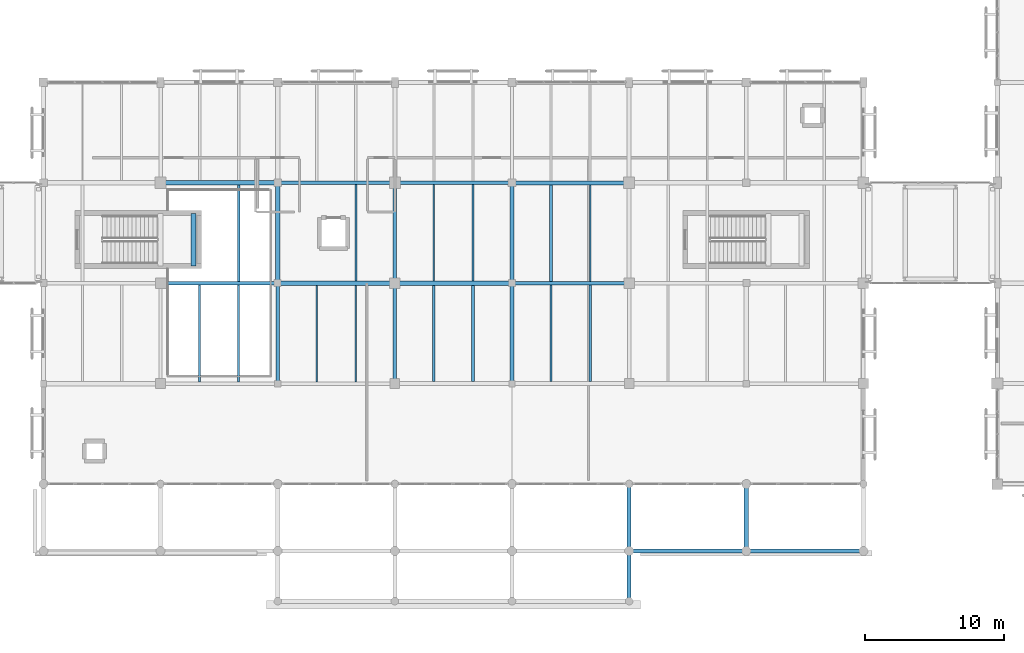
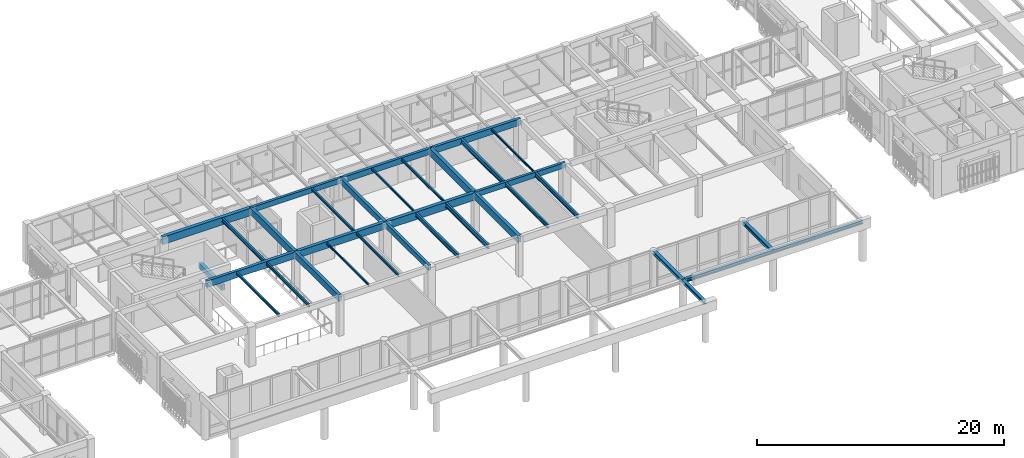
# One storey, part 45 of 170: 34 beams.
"""IFC4 building model written with IfcOpenShell, lengths in metres."""

from ifc_helpers import new_model, si_unit, direction, frame, origin, origin_2d, place, context, subcontext, project, spatial, rectangle, i_section, extrude, material, material_profile, profile_set, type_object, element, save


model = new_model("IFC4")

# Units and contexts
model_context = context("Model", 3, precision=1e-05, world=origin(), true_north=direction((0.0, 1.0)))
body_context = subcontext(model_context, "Body", "Model", "MODEL_VIEW")
ifc_project = project(units=[si_unit("LENGTHUNIT", "METRE"), si_unit("AREAUNIT", "SQUARE_METRE"), si_unit("VOLUMEUNIT", "CUBIC_METRE"), si_unit("PLANEANGLEUNIT", "RADIAN"), si_unit("MASSUNIT", "GRAM", prefix="KILO")], contexts=[model_context])

# Site, building, storey
site_placement = place(None, origin())
site = spatial("IfcSite", under=ifc_project, at=site_placement, CompositionType="ELEMENT")
building_placement = place(site_placement, origin())
building = spatial("IfcBuilding", under=site, at=building_placement, Name="Mazaris Harbour Polytechnic", CompositionType="ELEMENT")
storey_placement = place(building_placement, frame((0.0, 0.0, 5.39990234375)))
storey = spatial("IfcBuildingStorey", under=building, at=storey_placement, Name="L01", CompositionType="ELEMENT", Elevation=5.39990234375)

# Beams
ifc_material_1 = material(Name="Glulam GL32h", Category="wood")
ifc_material_profile_1 = material_profile(ifc_material_1, rectangle(XDim=0.239990234375, YDim=0.52001953125, at=origin_2d()), Name="RECT240x520")
ifc_profile_set_1 = profile_set([ifc_material_profile_1], Name="Glulam GL32h")
beam_type_1 = type_object("IfcBeamType", Name="Glulam Girder 240x520", PredefinedType="BEAM", material=ifc_profile_set_1)
for number, where, z_axis, x_axis, name in (
    (1, (87.60009765625, 21.60009765625, 3.66015625), (1.0, 0.0, 0.0), (0.0, 1.0, 0.0), "V3 L01 Girder 980"),
    (2, (70.800048828125, 28.800048828125, 3.66015625), (1.0, 0.0, 0.0), (0.0, 1.0, 0.0), "V3 L01 Girder 985"),
):
    element("IfcBeam", number, at=place(storey_placement, frame(where, z_axis=z_axis, x_axis=x_axis)), inside=storey, type_object=beam_type_1, Name=name, PredefinedType="BEAM", context=body_context, shape_type="SweptSolid", body=[
        extrude(rectangle(XDim=0.239990234375, YDim=0.52001953125, at=origin_2d()), origin(), (0.0, 0.0, 1.0), 8.39990234375),
    ])
beam_1_placement = place(storey_placement, frame((79.199951171875, 14.39990234375, 3.66015625), z_axis=(0.0, 1.0, 0.0), x_axis=(-1.0, 0.0, 0.0)))
element("IfcBeam", 3, at=beam_1_placement, inside=storey, type_object=beam_type_1, Name="V3 L01 Tie Girder 1005", PredefinedType="BEAM", context=body_context, shape_type="SweptSolid", body=[
    extrude(rectangle(XDim=0.239990234375, YDim=0.52001953125, at=origin_2d()), origin(), (0.0, 0.0, 1.0), 7.2001953125),
])
ifc_material_2 = material(Name="Glulam GL32h", Category="wood")
ifc_material_profile_2 = material_profile(ifc_material_2, rectangle(XDim=0.260009765625, YDim=0.580078125, at=origin_2d()), Name="RECT260x580")
ifc_profile_set_2 = profile_set([ifc_material_profile_2], Name="Glulam GL32h")
beam_type_2 = type_object("IfcBeamType", Name="Glulam Girder 260x580", PredefinedType="BEAM", material=ifc_profile_set_2)
beam_2_placement = place(storey_placement, frame((79.199951171875, 28.800048828125, 3.630126953125), z_axis=(1.0, 0.0, 0.0), x_axis=(0.0, 1.0, 0.0)))
element("IfcBeam", 4, at=beam_2_placement, inside=storey, type_object=beam_type_2, Name="V3 L01 Girder 986", PredefinedType="BEAM", context=body_context, shape_type="SweptSolid", body=[
    extrude(rectangle(XDim=0.260009765625, YDim=0.580078125, at=origin_2d()), origin(), (0.0, 0.0, 1.0), 8.400146484375),
])
beam_3_placement = place(storey_placement, frame((79.199951171875, 21.60009765625, 3.630126953125), z_axis=(0.0, 1.0, 0.0), x_axis=(-1.0, 0.0, 0.0)))
element("IfcBeam", 5, at=beam_3_placement, inside=storey, type_object=beam_type_2, Name="V3 L01 Tie Girder 1006", PredefinedType="BEAM", context=body_context, shape_type="SweptSolid", body=[
    extrude(rectangle(XDim=0.260009765625, YDim=0.580078125, at=origin_2d()), origin(), (0.0, 0.0, 1.0), 7.199951171875),
])
ifc_material_3 = material(Name="Glulam GL32h", Category="wood")
ifc_material_profile_3 = material_profile(ifc_material_3, rectangle(XDim=0.280029296875, YDim=0.639892578125, at=origin_2d()), Name="RECT280x640")
ifc_profile_set_3 = profile_set([ifc_material_profile_3], Name="Glulam GL32h")
beam_type_3 = type_object("IfcBeamType", Name="Glulam Girder 280x640", PredefinedType="BEAM", material=ifc_profile_set_3)
beam_4_placement = place(storey_placement, frame((62.39990234375, 21.60009765625, 3.60009765625), z_axis=(1.0, 0.0, 0.0), x_axis=(0.0, 1.0, 0.0)))
element("IfcBeam", 6, at=beam_4_placement, inside=storey, type_object=beam_type_3, Name="V3 L01 Girder 977", PredefinedType="BEAM", context=body_context, shape_type="SweptSolid", body=[
    extrude(rectangle(XDim=0.280029296875, YDim=0.639892578125, at=origin_2d()), origin(), (0.0, 0.0, 1.0), 8.400146484375),
])
beam_5_placement = place(storey_placement, frame((87.60009765625, 28.800048828125, 3.60009765625), z_axis=(1.0, 0.0, 0.0), x_axis=(0.0, 1.0, 0.0)))
element("IfcBeam", 7, at=beam_5_placement, inside=storey, type_object=beam_type_3, Name="V3 L01 Girder 987", PredefinedType="BEAM", context=body_context, shape_type="SweptSolid", body=[
    extrude(rectangle(XDim=0.280029296875, YDim=0.639892578125, at=origin_2d()), origin(), (0.0, 0.0, 1.0), 8.39990234375),
])
beam_6_placement = place(storey_placement, frame((70.800048828125, 14.39990234375, 3.60009765625), z_axis=(0.0, 1.0, 0.0), x_axis=(-1.0, 0.0, 0.0)))
element("IfcBeam", 8, at=beam_6_placement, inside=storey, type_object=beam_type_3, Name="V3 L01 Tie Girder 1002", PredefinedType="BEAM", context=body_context, shape_type="SweptSolid", body=[
    extrude(rectangle(XDim=0.280029296875, YDim=0.639892578125, at=origin_2d()), origin(), (0.0, 0.0, 1.0), 7.2001953125),
])
ifc_material_4 = material(Name="Glulam GL32h", Category="wood")
ifc_material_profile_4 = material_profile(ifc_material_4, rectangle(XDim=0.300048828125, YDim=0.679931640625, at=origin_2d()), Name="RECT300x680")
ifc_profile_set_4 = profile_set([ifc_material_profile_4], Name="Glulam GL32h")
beam_type_4 = type_object("IfcBeamType", Name="Glulam Girder 300x680", PredefinedType="BEAM", material=ifc_profile_set_4)
beam_7_placement = place(storey_placement, frame((70.800048828125, 21.60009765625, 3.580078125), z_axis=(1.0, 0.0, 0.0), x_axis=(0.0, 1.0, 0.0)))
element("IfcBeam", 9, at=beam_7_placement, inside=storey, type_object=beam_type_4, Name="V3 L01 Girder 978", PredefinedType="BEAM", context=body_context, shape_type="SweptSolid", body=[
    extrude(rectangle(XDim=0.300048828125, YDim=0.679931640625, at=origin_2d()), origin(), (0.0, 0.0, 1.0), 8.39990234375),
])
beam_8_placement = place(storey_placement, frame((70.800048828125, 21.60009765625, 3.580078125), z_axis=(0.0, 1.0, 0.0), x_axis=(-1.0, 0.0, 0.0)))
element("IfcBeam", 10, at=beam_8_placement, inside=storey, type_object=beam_type_4, Name="V3 L01 Tie Girder 1003", PredefinedType="BEAM", context=body_context, shape_type="SweptSolid", body=[
    extrude(rectangle(XDim=0.300048828125, YDim=0.679931640625, at=origin_2d()), origin(), (0.0, 0.0, 1.0), 7.199951171875),
])
beam_9_placement = place(storey_placement, frame((87.60009765625, 14.39990234375, 3.580078125), z_axis=(0.0, 1.0, 0.0), x_axis=(-1.0, 0.0, 0.0)))
element("IfcBeam", 11, at=beam_9_placement, inside=storey, type_object=beam_type_4, Name="V3 L01 Tie Girder 1008", PredefinedType="BEAM", context=body_context, shape_type="SweptSolid", body=[
    extrude(rectangle(XDim=0.300048828125, YDim=0.679931640625, at=origin_2d()), origin(), (0.0, 0.0, 1.0), 7.2001953125),
])
ifc_material_5 = material(Name="Glulam GL32h", Category="wood")
ifc_material_profile_5 = material_profile(ifc_material_5, rectangle(XDim=0.320068359375, YDim=0.739990234375, at=origin_2d()), Name="RECT320x740")
ifc_profile_set_5 = profile_set([ifc_material_profile_5], Name="Glulam GL32h")
beam_type_5 = type_object("IfcBeamType", Name="Glulam Girder 320x740", PredefinedType="BEAM", material=ifc_profile_set_5)
for number, where, z_axis, x_axis, name in (
    (12, (79.199951171875, 21.60009765625, 3.550048828125), (1.0, 0.0, 0.0), (0.0, 1.0, 0.0), "V3 L01 Girder 979"),
    (13, (62.39990234375, 28.800048828125, 3.550048828125), (1.0, 0.0, 0.0), (0.0, 1.0, 0.0), "V3 L01 Girder 984"),
):
    element("IfcBeam", number, at=place(storey_placement, frame(where, z_axis=z_axis, x_axis=x_axis)), inside=storey, type_object=beam_type_5, Name=name, PredefinedType="BEAM", context=body_context, shape_type="SweptSolid", body=[
        extrude(rectangle(XDim=0.320068359375, YDim=0.739990234375, at=origin_2d()), origin(), (0.0, 0.0, 1.0), 8.400146484375),
    ])
beam_10_placement = place(storey_placement, frame((87.60009765625, 21.60009765625, 3.550048828125), z_axis=(0.0, 1.0, 0.0), x_axis=(-1.0, 0.0, 0.0)))
element("IfcBeam", 14, at=beam_10_placement, inside=storey, type_object=beam_type_5, Name="V3 L01 Tie Girder 1009", PredefinedType="BEAM", context=body_context, shape_type="SweptSolid", body=[
    extrude(rectangle(XDim=0.320068359375, YDim=0.739990234375, at=origin_2d()), origin(), (0.0, 0.0, 1.0), 7.199951171875),
])
ifc_material_6 = material(Name="Concrete C40/50", Category="concrete")
ifc_material_profile_6 = material_profile(ifc_material_6, rectangle(XDim=0.35009765625, YDim=0.52001953125, at=origin_2d()), Name="RECT350x520")
ifc_profile_set_6 = profile_set([ifc_material_profile_6], Name="Concrete C40/50")
beam_type_6 = type_object("IfcBeamType", Name="RC Landing Bearer 350x520", PredefinedType="BEAM", material=ifc_profile_set_6)
beam_11_placement = place(storey_placement, frame((64.75, 22.85009765625, 1.64013671875), z_axis=(0.0, 1.0, 0.0), x_axis=(-1.0, 0.0, 0.0)))
element("IfcBeam", 15, at=beam_11_placement, inside=storey, type_object=beam_type_6, Name="Core ST05 L01 Landing Bearer", PredefinedType="BEAM", context=body_context, shape_type="SweptSolid", body=[
    extrude(rectangle(XDim=0.35009765625, YDim=0.52001953125, at=origin_2d()), origin(), (0.0, 0.0, 1.0), 3.75),
])
ifc_material_7 = material(Name="Steel S355", Category="steel")
ifc_material_profile_7 = material_profile(ifc_material_7, i_section(OverallWidth=0.300048828125, OverallDepth=0.330078125, WebThickness=0.009521484375, FlangeThickness=0.0166015625, FilletRadius=0.027099609375, at=origin_2d()), Name="HEA 340")
ifc_profile_set_7 = profile_set([ifc_material_profile_7], Name="Steel S355")
beam_type_7 = type_object("IfcBeamType", Name="Steel Beam HEA340 Exterior", PredefinedType="BEAM", material=ifc_profile_set_7)
for number, where, z_axis, x_axis, name in (
    (16, (96.0, 2.39990234375, 3.780029296875), (0.0, 1.0, 0.0), (-1.0, 0.0, 0.0), "Colonnade Cross Beam 3486"),
    (17, (104.39990234375, 2.39990234375, 3.780029296875), (0.0, 1.0, 0.0), (-1.0, 0.0, 0.0), "Colonnade Cross Beam 3487"),
):
    element("IfcBeam", number, at=place(storey_placement, frame(where, z_axis=z_axis, x_axis=x_axis)), inside=storey, type_object=beam_type_7, Name=name, PredefinedType="BEAM", context=body_context, shape_type="SweptSolid", body=[
        extrude(i_section(OverallWidth=0.300048828125, OverallDepth=0.330078125, WebThickness=0.009521484375, FlangeThickness=0.0166015625, FilletRadius=0.027099609375, at=origin_2d()), origin(), (0.0, 0.0, 1.0), 4.800048828125),
    ])
beam_12_placement = place(storey_placement, frame((96.0, 2.39990234375, 3.780029296875), z_axis=(1.0, 0.0, 0.0), x_axis=(0.0, 1.0, 0.0)))
element("IfcBeam", 18, at=beam_12_placement, inside=storey, type_object=beam_type_7, Name="Colonnade Entablature Architrave 3494", PredefinedType="BEAM", context=body_context, shape_type="SweptSolid", body=[
    extrude(i_section(OverallWidth=0.300048828125, OverallDepth=0.330078125, WebThickness=0.009521484375, FlangeThickness=0.0166015625, FilletRadius=0.027099609375, at=origin_2d()), origin(), (0.0, 0.0, 1.0), 8.39990234375),
])
beam_13_placement = place(storey_placement, frame((104.39990234375, 2.39990234375, 3.780029296875), z_axis=(1.0, 0.0, 0.0), x_axis=(0.0, 1.0, 0.0)))
element("IfcBeam", 19, at=beam_13_placement, inside=storey, type_object=beam_type_7, Name="Colonnade Entablature Architrave 3495", PredefinedType="BEAM", context=body_context, shape_type="SweptSolid", body=[
    extrude(i_section(OverallWidth=0.300048828125, OverallDepth=0.330078125, WebThickness=0.009521484375, FlangeThickness=0.0166015625, FilletRadius=0.027099609375, at=origin_2d()), origin(), (0.0, 0.0, 1.0), 8.400146484375),
])
beam_14_placement = place(storey_placement, frame((96.0, -1.199951171875, 3.780029296875), z_axis=(0.0, 1.0, 0.0), x_axis=(-1.0, 0.0, 0.0)))
element("IfcBeam", 20, at=beam_14_placement, inside=storey, type_object=beam_type_7, Name="Portico Tie Beam 3499", PredefinedType="BEAM", context=body_context, shape_type="SweptSolid", body=[
    extrude(i_section(OverallWidth=0.300048828125, OverallDepth=0.330078125, WebThickness=0.009521484375, FlangeThickness=0.0166015625, FilletRadius=0.027099609375, at=origin_2d()), origin(), (0.0, 0.0, 1.0), 3.599853515625),
])
ifc_material_8 = material(Name="Steel S355", Category="steel")
ifc_material_profile_8 = material_profile(ifc_material_8, i_section(OverallWidth=0.10009765625, OverallDepth=0.199951171875, WebThickness=0.005615234375, FlangeThickness=0.008544921875, FilletRadius=0.011962890625, at=origin_2d()), Name="IPE 200")
ifc_profile_set_8 = profile_set([ifc_material_profile_8], Name="Steel S355")
beam_type_8 = type_object("IfcBeamType", Name="Steel Joist IPE200", PredefinedType="JOIST", material=ifc_profile_set_8)
beam_15_placement = place(storey_placement, frame((73.60009765625, 14.530029296875, 3.820068359375), z_axis=(0.0, 1.0, 0.0), x_axis=(-1.0, 0.0, 0.0)))
element("IfcBeam", 21, at=beam_15_placement, inside=storey, type_object=beam_type_8, Name="V3 L01 Floor Joist 1029", PredefinedType="JOIST", context=body_context, shape_type="SweptSolid", body=[
    extrude(i_section(OverallWidth=0.10009765625, OverallDepth=0.199951171875, WebThickness=0.005615234375, FlangeThickness=0.008544921875, FilletRadius=0.011962890625, at=origin_2d()), origin(), (0.0, 0.0, 1.0), 6.919921875),
])
beam_16_placement = place(storey_placement, frame((82.0, 21.760009765625, 3.820068359375), z_axis=(0.0, 1.0, 0.0), x_axis=(-1.0, 0.0, 0.0)))
element("IfcBeam", 22, at=beam_16_placement, inside=storey, type_object=beam_type_8, Name="V3 L01 Floor Joist 1036", PredefinedType="JOIST", context=body_context, shape_type="SweptSolid", body=[
    extrude(i_section(OverallWidth=0.10009765625, OverallDepth=0.199951171875, WebThickness=0.005615234375, FlangeThickness=0.008544921875, FilletRadius=0.011962890625, at=origin_2d()), origin(), (0.0, 0.0, 1.0), 6.909912109375),
])
beam_17_placement = place(storey_placement, frame((93.199951171875, 21.719970703125, 3.820068359375), z_axis=(0.0, 1.0, 0.0), x_axis=(-1.0, 0.0, 0.0)))
element("IfcBeam", 23, at=beam_17_placement, inside=storey, type_object=beam_type_8, Name="V3 L01 Floor Joist 1043", PredefinedType="JOIST", context=body_context, shape_type="SweptSolid", body=[
    extrude(i_section(OverallWidth=0.10009765625, OverallDepth=0.199951171875, WebThickness=0.005615234375, FlangeThickness=0.008544921875, FilletRadius=0.011962890625, at=origin_2d()), origin(), (0.0, 0.0, 1.0), 6.93994140625),
])
ifc_material_9 = material(Name="Steel S355", Category="steel")
ifc_material_profile_9 = material_profile(ifc_material_9, i_section(OverallWidth=0.1201171875, OverallDepth=0.239990234375, WebThickness=0.006103515625, FlangeThickness=0.009765625, FilletRadius=0.014892578125, at=origin_2d()), Name="IPE 240")
ifc_profile_set_9 = profile_set([ifc_material_profile_9], Name="Steel S355")
beam_type_9 = type_object("IfcBeamType", Name="Steel Joist IPE240", PredefinedType="JOIST", material=ifc_profile_set_9)
beam_18_placement = place(storey_placement, frame((76.39990234375, 14.530029296875, 3.800048828125), z_axis=(0.0, 1.0, 0.0), x_axis=(-1.0, 0.0, 0.0)))
element("IfcBeam", 24, at=beam_18_placement, inside=storey, type_object=beam_type_9, Name="V3 L01 Floor Joist 1030", PredefinedType="JOIST", context=body_context, shape_type="SweptSolid", body=[
    extrude(i_section(OverallWidth=0.1201171875, OverallDepth=0.239990234375, WebThickness=0.006103515625, FlangeThickness=0.009765625, FilletRadius=0.014892578125, at=origin_2d()), origin(), (0.0, 0.0, 1.0), 6.919921875),
])
beam_19_placement = place(storey_placement, frame((84.800048828125, 21.760009765625, 3.800048828125), z_axis=(0.0, 1.0, 0.0), x_axis=(-1.0, 0.0, 0.0)))
element("IfcBeam", 25, at=beam_19_placement, inside=storey, type_object=beam_type_9, Name="V3 L01 Floor Joist 1037", PredefinedType="JOIST", context=body_context, shape_type="SweptSolid", body=[
    extrude(i_section(OverallWidth=0.1201171875, OverallDepth=0.239990234375, WebThickness=0.006103515625, FlangeThickness=0.009765625, FilletRadius=0.014892578125, at=origin_2d()), origin(), (0.0, 0.0, 1.0), 6.909912109375),
])
ifc_material_10 = material(Name="Steel S355", Category="steel")
ifc_material_profile_10 = material_profile(ifc_material_10, i_section(OverallWidth=0.135009765625, OverallDepth=0.27001953125, WebThickness=0.006591796875, FlangeThickness=0.01025390625, FilletRadius=0.014892578125, at=origin_2d()), Name="IPE 270")
ifc_profile_set_10 = profile_set([ifc_material_profile_10], Name="Steel S355")
beam_type_10 = type_object("IfcBeamType", Name="Steel Joist IPE270", PredefinedType="JOIST", material=ifc_profile_set_10)
beam_20_placement = place(storey_placement, frame((65.199951171875, 14.52001953125, 3.78515625), z_axis=(0.0, 1.0, 0.0), x_axis=(-1.0, 0.0, 0.0)))
element("IfcBeam", 26, at=beam_20_placement, inside=storey, type_object=beam_type_10, Name="V3 L01 Floor Joist 1024", PredefinedType="JOIST", context=body_context, shape_type="SweptSolid", body=[
    extrude(i_section(OverallWidth=0.135009765625, OverallDepth=0.27001953125, WebThickness=0.006591796875, FlangeThickness=0.01025390625, FilletRadius=0.014892578125, at=origin_2d()), origin(), (0.0, 0.0, 1.0), 6.93994140625),
])
beam_21_placement = place(storey_placement, frame((76.39990234375, 21.75, 3.78515625), z_axis=(0.0, 1.0, 0.0), x_axis=(-1.0, 0.0, 0.0)))
element("IfcBeam", 27, at=beam_21_placement, inside=storey, type_object=beam_type_10, Name="V3 L01 Floor Joist 1031", PredefinedType="JOIST", context=body_context, shape_type="SweptSolid", body=[
    extrude(i_section(OverallWidth=0.135009765625, OverallDepth=0.27001953125, WebThickness=0.006591796875, FlangeThickness=0.01025390625, FilletRadius=0.014892578125, at=origin_2d()), origin(), (0.0, 0.0, 1.0), 6.929931640625),
])
ifc_material_11 = material(Name="Steel S355", Category="steel")
ifc_material_profile_11 = material_profile(ifc_material_11, i_section(OverallWidth=0.14990234375, OverallDepth=0.300048828125, WebThickness=0.007080078125, FlangeThickness=0.0107421875, FilletRadius=0.014892578125, at=origin_2d()), Name="IPE 300")
ifc_profile_set_11 = profile_set([ifc_material_profile_11], Name="Steel S355")
beam_type_11 = type_object("IfcBeamType", Name="Steel Joist IPE300", PredefinedType="JOIST", material=ifc_profile_set_11)
beam_22_placement = place(storey_placement, frame((68.0, 14.52001953125, 3.77001953125), z_axis=(0.0, 1.0, 0.0), x_axis=(-1.0, 0.0, 0.0)))
element("IfcBeam", 28, at=beam_22_placement, inside=storey, type_object=beam_type_11, Name="V3 L01 Floor Joist 1025", PredefinedType="JOIST", context=body_context, shape_type="SweptSolid", body=[
    extrude(i_section(OverallWidth=0.14990234375, OverallDepth=0.300048828125, WebThickness=0.007080078125, FlangeThickness=0.0107421875, FilletRadius=0.014892578125, at=origin_2d()), origin(), (0.0, 0.0, 1.0), 6.93994140625),
])
ifc_material_12 = material(Name="Steel S355", Category="steel")
ifc_material_profile_12 = material_profile(ifc_material_12, i_section(OverallWidth=0.169921875, OverallDepth=0.360107421875, WebThickness=0.008056640625, FlangeThickness=0.0126953125, FilletRadius=0.01806640625, at=origin_2d()), Name="IPE 360")
ifc_profile_set_12 = profile_set([ifc_material_profile_12], Name="Steel S355")
beam_type_12 = type_object("IfcBeamType", Name="Steel Joist IPE360", PredefinedType="JOIST", material=ifc_profile_set_12)
beam_23_placement = place(storey_placement, frame((68.0, 21.739990234375, 3.739990234375), z_axis=(0.0, 1.0, 0.0), x_axis=(-1.0, 0.0, 0.0)))
element("IfcBeam", 29, at=beam_23_placement, inside=storey, type_object=beam_type_12, Name="V3 L01 Floor Joist 1026", PredefinedType="JOIST", context=body_context, shape_type="SweptSolid", body=[
    extrude(i_section(OverallWidth=0.169921875, OverallDepth=0.360107421875, WebThickness=0.008056640625, FlangeThickness=0.0126953125, FilletRadius=0.01806640625, at=origin_2d()), origin(), (0.0, 0.0, 1.0), 6.89990234375),
])
beam_24_placement = place(storey_placement, frame((90.39990234375, 14.550048828125, 3.739990234375), z_axis=(0.0, 1.0, 0.0), x_axis=(-1.0, 0.0, 0.0)))
element("IfcBeam", 30, at=beam_24_placement, inside=storey, type_object=beam_type_12, Name="V3 L01 Floor Joist 1040", PredefinedType="JOIST", context=body_context, shape_type="SweptSolid", body=[
    extrude(i_section(OverallWidth=0.169921875, OverallDepth=0.360107421875, WebThickness=0.008056640625, FlangeThickness=0.0126953125, FilletRadius=0.01806640625, at=origin_2d()), origin(), (0.0, 0.0, 1.0), 6.929931640625),
])
ifc_material_13 = material(Name="Steel S355", Category="steel")
ifc_material_profile_13 = material_profile(ifc_material_13, i_section(OverallWidth=0.179931640625, OverallDepth=0.39990234375, WebThickness=0.008544921875, FlangeThickness=0.013427734375, FilletRadius=0.02099609375, at=origin_2d()), Name="IPE 400")
ifc_profile_set_13 = profile_set([ifc_material_profile_13], Name="Steel S355")
beam_type_13 = type_object("IfcBeamType", Name="Steel Joist IPE400", PredefinedType="JOIST", material=ifc_profile_set_13)
beam_25_placement = place(storey_placement, frame((82.0, 14.5400390625, 3.72021484375), z_axis=(0.0, 1.0, 0.0), x_axis=(-1.0, 0.0, 0.0)))
element("IfcBeam", 31, at=beam_25_placement, inside=storey, type_object=beam_type_13, Name="V3 L01 Floor Joist 1034", PredefinedType="JOIST", context=body_context, shape_type="SweptSolid", body=[
    extrude(i_section(OverallWidth=0.179931640625, OverallDepth=0.39990234375, WebThickness=0.008544921875, FlangeThickness=0.013427734375, FilletRadius=0.02099609375, at=origin_2d()), origin(), (0.0, 0.0, 1.0), 6.89990234375),
])
beam_26_placement = place(storey_placement, frame((93.199951171875, 14.550048828125, 3.72021484375), z_axis=(0.0, 1.0, 0.0), x_axis=(-1.0, 0.0, 0.0)))
element("IfcBeam", 32, at=beam_26_placement, inside=storey, type_object=beam_type_13, Name="V3 L01 Floor Joist 1041", PredefinedType="JOIST", context=body_context, shape_type="SweptSolid", body=[
    extrude(i_section(OverallWidth=0.179931640625, OverallDepth=0.39990234375, WebThickness=0.008544921875, FlangeThickness=0.013427734375, FilletRadius=0.02099609375, at=origin_2d()), origin(), (0.0, 0.0, 1.0), 6.929931640625),
])
ifc_material_14 = material(Name="Steel S355", Category="steel")
ifc_material_profile_14 = material_profile(ifc_material_14, i_section(OverallWidth=0.18994140625, OverallDepth=0.449951171875, WebThickness=0.009521484375, FlangeThickness=0.0146484375, FilletRadius=0.02099609375, at=origin_2d()), Name="IPE 450")
ifc_profile_set_14 = profile_set([ifc_material_profile_14], Name="Steel S355")
beam_type_14 = type_object("IfcBeamType", Name="Steel Joist IPE450", PredefinedType="JOIST", material=ifc_profile_set_14)
beam_27_placement = place(storey_placement, frame((84.800048828125, 14.5400390625, 3.695068359375), z_axis=(0.0, 1.0, 0.0), x_axis=(-1.0, 0.0, 0.0)))
element("IfcBeam", 33, at=beam_27_placement, inside=storey, type_object=beam_type_14, Name="V3 L01 Floor Joist 1035", PredefinedType="JOIST", context=body_context, shape_type="SweptSolid", body=[
    extrude(i_section(OverallWidth=0.18994140625, OverallDepth=0.449951171875, WebThickness=0.009521484375, FlangeThickness=0.0146484375, FilletRadius=0.02099609375, at=origin_2d()), origin(), (0.0, 0.0, 1.0), 6.89990234375),
])
beam_28_placement = place(storey_placement, frame((90.39990234375, 21.719970703125, 3.695068359375), z_axis=(0.0, 1.0, 0.0), x_axis=(-1.0, 0.0, 0.0)))
element("IfcBeam", 34, at=beam_28_placement, inside=storey, type_object=beam_type_14, Name="V3 L01 Floor Joist 1042", PredefinedType="JOIST", context=body_context, shape_type="SweptSolid", body=[
    extrude(i_section(OverallWidth=0.18994140625, OverallDepth=0.449951171875, WebThickness=0.009521484375, FlangeThickness=0.0146484375, FilletRadius=0.02099609375, at=origin_2d()), origin(), (0.0, 0.0, 1.0), 6.93994140625),
])

save(model, "model.ifc")
